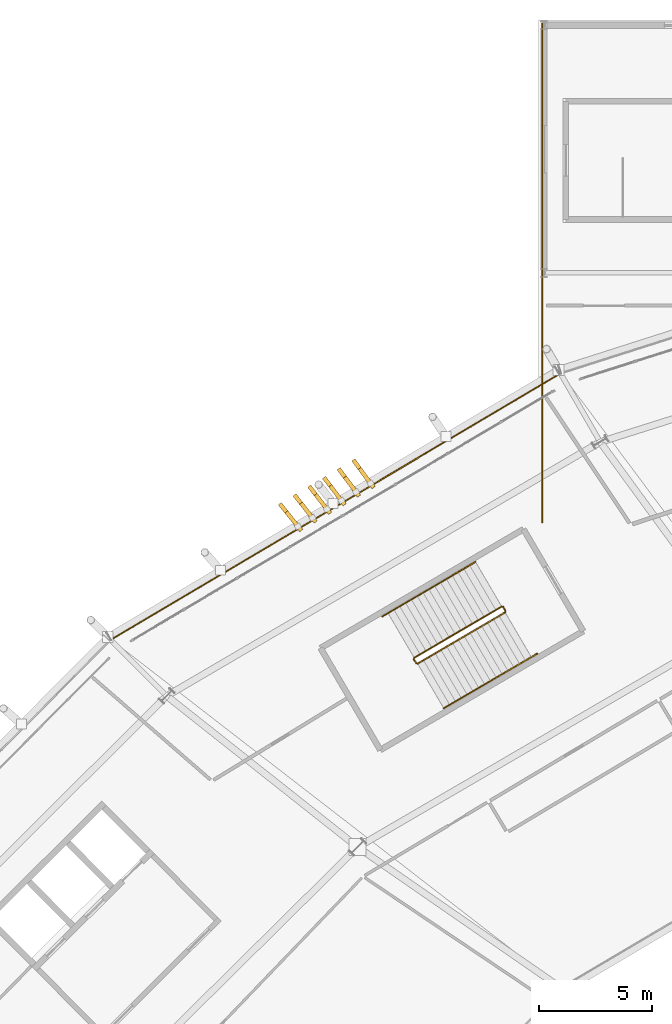
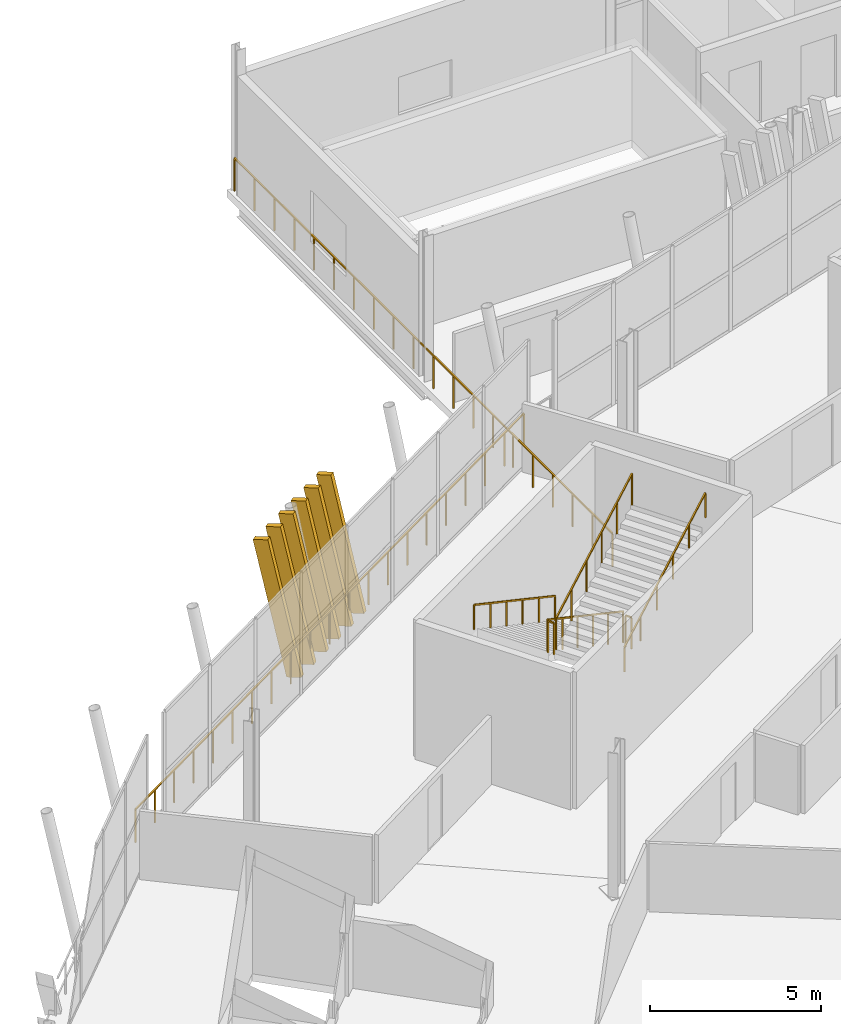
# One storey, part 162 of 168: 8 railings, 6 shading devices.
"""IFC4 building model written with IfcOpenShell, lengths in metres."""

from ifc_helpers import new_model, si_unit, direction, frame, origin, origin_2d, place, context, subcontext, project, spatial, rectangle, extrude, material, material_profile, profile_set, type_object, element, save


model = new_model("IFC4")

# Units and contexts
model_context = context("Model", 3, precision=1e-05, world=origin(), true_north=direction((0.0, 1.0)))
body_context = subcontext(model_context, "Body", "Model", "MODEL_VIEW")
ifc_project = project(units=[si_unit("LENGTHUNIT", "METRE"), si_unit("AREAUNIT", "SQUARE_METRE"), si_unit("VOLUMEUNIT", "CUBIC_METRE"), si_unit("PLANEANGLEUNIT", "RADIAN"), si_unit("MASSUNIT", "GRAM", prefix="KILO")], contexts=[model_context])

# Site, building, storey
site_placement = place(None, origin())
site = spatial("IfcSite", under=ifc_project, at=site_placement, CompositionType="ELEMENT")
building_placement = place(site_placement, origin())
building = spatial("IfcBuilding", under=site, at=building_placement, Name="Zlatoyarsky Gate Stadium", CompositionType="ELEMENT")
storey_placement = place(building_placement, frame((0.0, 0.0, 15.60009765625)))
storey = spatial("IfcBuildingStorey", under=building, at=storey_placement, Name="L03", CompositionType="ELEMENT", Elevation=15.60009765625)

# Railings
ifc_material_1 = material(Name="Powder-coated steel tubular guardrail", Category="steel")
railing_type_1 = type_object("IfcRailingType", Name="CONCOURSE SLAB EDGE GUARDRAIL 1200", PredefinedType="GUARDRAIL", material=ifc_material_1)
railing_1_placement = place(storey_placement, frame((62.739013671875, 144.5380859375, 0.0)))
element("IfcRailing", 1, at=railing_1_placement, inside=storey, type_object=railing_type_1, Name="L03 outer slab edge guardrail 08", PredefinedType="GUARDRAIL", context=body_context, shape_type="SweptSolid", body=[
    extrude(rectangle(XDim=0.048095703125, YDim=0.048095703125, at=origin_2d()), frame((0.0, 0.0, 1.17578125), z_axis=(-0.860356384529, -0.509692938542, 0.0), x_axis=(0.509692938542, -0.860356384529, 0.0)), (0.0, 0.0, 1.0), 23.235107421875),
    extrude(rectangle(XDim=0.0419921875, YDim=0.0419921875, at=origin_2d()), origin(), (0.0, 0.0, 1.0), 1.15185546875),
    extrude(rectangle(XDim=0.0419921875, YDim=0.0419921875, at=origin_2d()), frame((-0.99951171875, -0.592041015625, 0.0)), (0.0, 0.0, 1.0), 1.15185546875),
    extrude(rectangle(XDim=0.0419921875, YDim=0.0419921875, at=origin_2d()), frame((-1.9990234375, -1.184326171875, 0.0)), (0.0, 0.0, 1.0), 1.15185546875),
    extrude(rectangle(XDim=0.0419921875, YDim=0.0419921875, at=origin_2d()), frame((-2.99853515625, -1.7763671875, 0.0)), (0.0, 0.0, 1.0), 1.15185546875),
    extrude(rectangle(XDim=0.0419921875, YDim=0.0419921875, at=origin_2d()), frame((-3.998046875, -2.36865234375, 0.0)), (0.0, 0.0, 1.0), 1.15185546875),
    extrude(rectangle(XDim=0.0419921875, YDim=0.0419921875, at=origin_2d()), frame((-4.99755859375, -2.960693359375, 0.0)), (0.0, 0.0, 1.0), 1.15185546875),
    extrude(rectangle(XDim=0.0419921875, YDim=0.0419921875, at=origin_2d()), frame((-5.9970703125, -3.552734375, 0.0)), (0.0, 0.0, 1.0), 1.15185546875),
    extrude(rectangle(XDim=0.0419921875, YDim=0.0419921875, at=origin_2d()), frame((-6.99658203125, -4.14501953125, 0.0)), (0.0, 0.0, 1.0), 1.15185546875),
    extrude(rectangle(XDim=0.0419921875, YDim=0.0419921875, at=origin_2d()), frame((-7.99609375, -4.737060546875, 0.0)), (0.0, 0.0, 1.0), 1.15185546875),
    extrude(rectangle(XDim=0.0419921875, YDim=0.0419921875, at=origin_2d()), frame((-8.99560546875, -5.329345703125, 0.0)), (0.0, 0.0, 1.0), 1.15185546875),
    extrude(rectangle(XDim=0.0419921875, YDim=0.0419921875, at=origin_2d()), frame((-9.9951171875, -5.92138671875, 0.0)), (0.0, 0.0, 1.0), 1.15185546875),
    extrude(rectangle(XDim=0.0419921875, YDim=0.0419921875, at=origin_2d()), frame((-10.994873046875, -6.513427734375, 0.0)), (0.0, 0.0, 1.0), 1.15185546875),
    extrude(rectangle(XDim=0.0419921875, YDim=0.0419921875, at=origin_2d()), frame((-11.994384765625, -7.105712890625, 0.0)), (0.0, 0.0, 1.0), 1.15185546875),
    extrude(rectangle(XDim=0.0419921875, YDim=0.0419921875, at=origin_2d()), frame((-12.993896484375, -7.69775390625, 0.0)), (0.0, 0.0, 1.0), 1.15185546875),
    extrude(rectangle(XDim=0.0419921875, YDim=0.0419921875, at=origin_2d()), frame((-13.993408203125, -8.2900390625, 0.0)), (0.0, 0.0, 1.0), 1.15185546875),
    extrude(rectangle(XDim=0.0419921875, YDim=0.0419921875, at=origin_2d()), frame((-14.992919921875, -8.882080078125, 0.0)), (0.0, 0.0, 1.0), 1.15185546875),
    extrude(rectangle(XDim=0.0419921875, YDim=0.0419921875, at=origin_2d()), frame((-15.992431640625, -9.47412109375, 0.0)), (0.0, 0.0, 1.0), 1.15185546875),
    extrude(rectangle(XDim=0.0419921875, YDim=0.0419921875, at=origin_2d()), frame((-16.991943359375, -10.06640625, 0.0)), (0.0, 0.0, 1.0), 1.15185546875),
    extrude(rectangle(XDim=0.0419921875, YDim=0.0419921875, at=origin_2d()), frame((-17.991455078125, -10.658447265625, 0.0)), (0.0, 0.0, 1.0), 1.15185546875),
    extrude(rectangle(XDim=0.0419921875, YDim=0.0419921875, at=origin_2d()), frame((-18.990966796875, -11.250732421875, 0.0)), (0.0, 0.0, 1.0), 1.15185546875),
    extrude(rectangle(XDim=0.0419921875, YDim=0.0419921875, at=origin_2d()), frame((-19.990478515625, -11.8427734375, 0.0)), (0.0, 0.0, 1.0), 1.15185546875),
])
railing_2_placement = place(storey_placement, frame((61.919921875, 137.919921875, 0.0)))
element("IfcRailing", 2, at=railing_2_placement, inside=storey, type_object=railing_type_1, Name="V2_NORTH L03 W slab edge guardrail", PredefinedType="GUARDRAIL", context=body_context, shape_type="SweptSolid", body=[
    extrude(rectangle(XDim=0.048095703125, YDim=0.048095703125, at=origin_2d()), frame((0.0, 0.0, 1.17578125), z_axis=(0.0, 1.0, 0.0), x_axis=(-1.0, 0.0, 0.0)), (0.0, 0.0, 1.0), 22.16015625),
    extrude(rectangle(XDim=0.0419921875, YDim=0.0419921875, at=origin_2d()), origin(), (0.0, 0.0, 1.0), 1.15185546875),
    extrude(rectangle(XDim=0.0419921875, YDim=0.0419921875, at=origin_2d()), frame((0.0, 1.166259765625, 0.0)), (0.0, 0.0, 1.0), 1.15185546875),
    extrude(rectangle(XDim=0.0419921875, YDim=0.0419921875, at=origin_2d()), frame((0.0, 2.332763671875, 0.0)), (0.0, 0.0, 1.0), 1.15185546875),
    extrude(rectangle(XDim=0.0419921875, YDim=0.0419921875, at=origin_2d()), frame((0.0, 3.4990234375, 0.0)), (0.0, 0.0, 1.0), 1.15185546875),
    extrude(rectangle(XDim=0.0419921875, YDim=0.0419921875, at=origin_2d()), frame((0.0, 4.665283203125, 0.0)), (0.0, 0.0, 1.0), 1.15185546875),
    extrude(rectangle(XDim=0.0419921875, YDim=0.0419921875, at=origin_2d()), frame((0.0, 5.83154296875, 0.0)), (0.0, 0.0, 1.0), 1.15185546875),
    extrude(rectangle(XDim=0.0419921875, YDim=0.0419921875, at=origin_2d()), frame((0.0, 6.998046875, 0.0)), (0.0, 0.0, 1.0), 1.15185546875),
    extrude(rectangle(XDim=0.0419921875, YDim=0.0419921875, at=origin_2d()), frame((0.0, 8.164306640625, 0.0)), (0.0, 0.0, 1.0), 1.15185546875),
    extrude(rectangle(XDim=0.0419921875, YDim=0.0419921875, at=origin_2d()), frame((0.0, 9.33056640625, 0.0)), (0.0, 0.0, 1.0), 1.15185546875),
    extrude(rectangle(XDim=0.0419921875, YDim=0.0419921875, at=origin_2d()), frame((0.0, 10.496826171875, 0.0)), (0.0, 0.0, 1.0), 1.15185546875),
    extrude(rectangle(XDim=0.0419921875, YDim=0.0419921875, at=origin_2d()), frame((0.0, 11.663330078125, 0.0)), (0.0, 0.0, 1.0), 1.15185546875),
    extrude(rectangle(XDim=0.0419921875, YDim=0.0419921875, at=origin_2d()), frame((0.0, 12.82958984375, 0.0)), (0.0, 0.0, 1.0), 1.15185546875),
    extrude(rectangle(XDim=0.0419921875, YDim=0.0419921875, at=origin_2d()), frame((0.0, 13.995849609375, 0.0)), (0.0, 0.0, 1.0), 1.15185546875),
    extrude(rectangle(XDim=0.0419921875, YDim=0.0419921875, at=origin_2d()), frame((0.0, 15.162109375, 0.0)), (0.0, 0.0, 1.0), 1.15185546875),
    extrude(rectangle(XDim=0.0419921875, YDim=0.0419921875, at=origin_2d()), frame((0.0, 16.32861328125, 0.0)), (0.0, 0.0, 1.0), 1.15185546875),
    extrude(rectangle(XDim=0.0419921875, YDim=0.0419921875, at=origin_2d()), frame((0.0, 17.494873046875, 0.0)), (0.0, 0.0, 1.0), 1.15185546875),
    extrude(rectangle(XDim=0.0419921875, YDim=0.0419921875, at=origin_2d()), frame((0.0, 18.6611328125, 0.0)), (0.0, 0.0, 1.0), 1.15185546875),
    extrude(rectangle(XDim=0.0419921875, YDim=0.0419921875, at=origin_2d()), frame((0.0, 19.827392578125, 0.0)), (0.0, 0.0, 1.0), 1.15185546875),
    extrude(rectangle(XDim=0.0419921875, YDim=0.0419921875, at=origin_2d()), frame((0.0, 20.993896484375, 0.0)), (0.0, 0.0, 1.0), 1.15185546875),
    extrude(rectangle(XDim=0.0419921875, YDim=0.0419921875, at=origin_2d()), frame((0.0, 22.16015625, 0.0)), (0.0, 0.0, 1.0), 1.15185546875),
])
ifc_material_2 = material(Name="Powder-coated steel stair guardrail", Category="steel")
railing_type_2 = type_object("IfcRailingType", Name="PAINTED STEEL STAIR WELL GUARDRAIL 1150", PredefinedType="GUARDRAIL", material=ifc_material_2)
railing_3_placement = place(storey_placement, frame((60.1220703125, 134.1767578125, 0.162353515625)))
element("IfcRailing", 3, at=railing_3_placement, inside=storey, type_object=railing_type_2, Name="ST-05 L03 stair guard 1", PredefinedType="GUARDRAIL", context=body_context, shape_type="SweptSolid", body=[
    extrude(rectangle(XDim=0.048095703125, YDim=0.048095703125, at=origin_2d()), frame((0.0, 0.0, 1.1259765625), z_axis=(-0.758690244494, -0.444461582492, 0.476280394934), x_axis=(0.505475820858, -0.862840770089, 0.0)), (0.0, 0.0, 1.0), 5.11767578125),
    extrude(rectangle(XDim=0.0419921875, YDim=0.0419921875, at=origin_2d()), origin(), (0.0, 0.0, 1.0), 1.101806640625),
    extrude(rectangle(XDim=0.0419921875, YDim=0.0419921875, at=origin_2d()), frame((-0.776611328125, -0.454833984375, 0.487548828125)), (0.0, 0.0, 1.0), 1.101806640625),
    extrude(rectangle(XDim=0.0419921875, YDim=0.0419921875, at=origin_2d()), frame((-1.55322265625, -0.909912109375, 0.97509765625)), (0.0, 0.0, 1.0), 1.101806640625),
    extrude(rectangle(XDim=0.0419921875, YDim=0.0419921875, at=origin_2d()), frame((-2.32958984375, -1.36474609375, 1.46240234375)), (0.0, 0.0, 1.0), 1.101806640625),
    extrude(rectangle(XDim=0.0419921875, YDim=0.0419921875, at=origin_2d()), frame((-3.106201171875, -1.81982421875, 1.949951171875)), (0.0, 0.0, 1.0), 1.101806640625),
    extrude(rectangle(XDim=0.0419921875, YDim=0.0419921875, at=origin_2d()), frame((-3.8828125, -2.274658203125, 2.4375)), (0.0, 0.0, 1.0), 1.101806640625),
])
railing_4_placement = place(storey_placement, frame((56.221435546875, 131.833740234375, 2.599853515625)))
element("IfcRailing", 4, at=railing_4_placement, inside=storey, type_object=railing_type_2, Name="ST-05 L03 stair guard 2", PredefinedType="GUARDRAIL", context=body_context, shape_type="SweptSolid", body=[
    extrude(rectangle(XDim=0.048095703125, YDim=0.048095703125, at=origin_2d()), frame((0.0, 0.0, 1.1259765625), z_axis=(0.505312229679, -0.862936585467, 0.0), x_axis=(0.862936585467, 0.505312229679, 0.0)), (0.0, 0.0, 1.0), 0.199951171875),
    extrude(rectangle(XDim=0.0419921875, YDim=0.0419921875, at=origin_2d()), origin(), (0.0, 0.0, 1.0), 1.101806640625),
    extrude(rectangle(XDim=0.0419921875, YDim=0.0419921875, at=origin_2d()), frame((0.10107421875, -0.172607421875, 0.0)), (0.0, 0.0, 1.0), 1.101806640625),
])
railing_5_placement = place(storey_placement, frame((56.390869140625, 131.643310546875, 2.762451171875)))
element("IfcRailing", 5, at=railing_5_placement, inside=storey, type_object=railing_type_2, Name="ST-05 L03 stair guard 3", PredefinedType="GUARDRAIL", context=body_context, shape_type="SweptSolid", body=[
    extrude(rectangle(XDim=0.048095703125, YDim=0.048095703125, at=origin_2d()), frame((0.0, 0.0, 1.1259765625), z_axis=(0.758690244494, 0.444461582492, 0.476280394934), x_axis=(-0.505475820858, 0.862840770089, 0.0)), (0.0, 0.0, 1.0), 5.11767578125),
    extrude(rectangle(XDim=0.0419921875, YDim=0.0419921875, at=origin_2d()), origin(), (0.0, 0.0, 1.0), 1.101806640625),
    extrude(rectangle(XDim=0.0419921875, YDim=0.0419921875, at=origin_2d()), frame((0.776611328125, 0.454833984375, 0.487548828125)), (0.0, 0.0, 1.0), 1.101806640625),
    extrude(rectangle(XDim=0.0419921875, YDim=0.0419921875, at=origin_2d()), frame((1.55322265625, 0.909912109375, 0.97509765625)), (0.0, 0.0, 1.0), 1.101806640625),
    extrude(rectangle(XDim=0.0419921875, YDim=0.0419921875, at=origin_2d()), frame((2.32958984375, 1.36474609375, 1.46240234375)), (0.0, 0.0, 1.0), 1.101806640625),
    extrude(rectangle(XDim=0.0419921875, YDim=0.0419921875, at=origin_2d()), frame((3.106201171875, 1.81982421875, 1.949951171875)), (0.0, 0.0, 1.0), 1.101806640625),
    extrude(rectangle(XDim=0.0419921875, YDim=0.0419921875, at=origin_2d()), frame((3.8828125, 2.274658203125, 2.4375)), (0.0, 0.0, 1.0), 1.101806640625),
])
railing_6_placement = place(storey_placement, frame((60.190673828125, 134.158935546875, 0.0)))
element("IfcRailing", 6, at=railing_6_placement, inside=storey, type_object=railing_type_2, Name="ST-05 L03 stair guard 4", PredefinedType="GUARDRAIL", context=body_context, shape_type="SweptSolid", body=[
    extrude(rectangle(XDim=0.048095703125, YDim=0.048095703125, at=origin_2d()), frame((0.0, 0.0, 1.1259765625), z_axis=(0.505312229679, -0.862936585467, 0.0), x_axis=(0.862936585467, 0.505312229679, 0.0)), (0.0, 0.0, 1.0), 0.199951171875),
    extrude(rectangle(XDim=0.0419921875, YDim=0.0419921875, at=origin_2d()), origin(), (0.0, 0.0, 1.0), 1.101806640625),
    extrude(rectangle(XDim=0.0419921875, YDim=0.0419921875, at=origin_2d()), frame((0.10107421875, -0.172607421875, 0.0)), (0.0, 0.0, 1.0), 1.101806640625),
])

# Shading devices
ifc_material_3 = material(Name="Precast concrete C40/50 stone-toned architectural rib", Category="masonry")
ifc_material_profile = material_profile(ifc_material_3, rectangle(XDim=0.179931640625, YDim=0.47998046875, at=origin_2d()), Name="RIB 180X480")
ifc_profile_set = profile_set([ifc_material_profile], Name="Precast concrete C40/50 stone-toned architectural rib")
shading_device_type = type_object("IfcShadingDeviceType", Name="PRECAST RIBBED BOWL LOUVRE FIN 180X480", PredefinedType="JALOUSIE", material=ifc_profile_set)
for number, where, z_axis, x_axis, name in (
    (7, (54.29638671875, 139.651123046875, -0.010009765625), (-0.131097145623, 0.178559830067, 0.975156359512), (-0.806074913347, -0.591813512918, 0.0), "Leaning bowl louvre fin L03-08-1"),
    (8, (53.651123046875, 139.268798828125, -0.010009765625), (-0.132579385525, 0.177436688219, 0.975160975536), (-0.80107818866, -0.5985597177, 0.0), "Leaning bowl louvre fin L03-08-2"),
    (9, (53.006103515625, 138.886474609375, -0.010009765625), (-0.134112555343, 0.176262215594, 0.975164321462), (-0.795828694121, -0.605521832483, 0.0), "Leaning bowl louvre fin L03-08-3"),
    (10, (52.360595703125, 138.504150390625, -0.010009765625), (-0.135544926764, 0.175089507735, 0.975177541328), (-0.790741722009, -0.612149923691, 0.0), "Leaning bowl louvre fin L03-08-4"),
    (11, (51.715576171875, 138.121826171875, -0.010009765625), (-0.137075913493, 0.17396328194, 0.975165099087), (-0.785461088365, -0.618911042609, 0.0), "Leaning bowl louvre fin L03-08-5"),
    (12, (51.0703125, 137.739501953125, -0.010009765625), (-0.138557475081, 0.172788119735, 0.975164648548), (-0.780148129587, -0.62559483366, 0.0), "Leaning bowl louvre fin L03-08-6"),
):
    element("IfcShadingDevice", number, at=place(storey_placement, frame(where, z_axis=z_axis, x_axis=x_axis)), inside=storey, type_object=shading_device_type, Name=name, PredefinedType="JALOUSIE", context=body_context, shape_type="SweptSolid", body=[
        extrude(rectangle(XDim=0.179931640625, YDim=0.47998046875, at=origin_2d()), origin(), (0.0, 0.0, 1.0), 4.778564453125),
    ])

# Railings
ifc_material_4 = material(Name="Brushed stainless steel 316 handrail", Category="steel")
railing_type_3 = type_object("IfcRailingType", Name="STAINLESS STEEL TUBULAR HANDRAIL 900", PredefinedType="HANDRAIL", material=ifc_material_4)
railing_7_placement = place(storey_placement, frame((58.959716796875, 136.161376953125, 0.16650390625)))
element("IfcRailing", 13, at=railing_7_placement, inside=storey, type_object=railing_type_3, Name="ST-05 L03 stair handrail 1", PredefinedType="HANDRAIL", context=body_context, shape_type="SweptSolid", body=[
    extrude(rectangle(XDim=0.048095703125, YDim=0.048095703125, at=origin_2d()), frame((0.0, 0.0, 0.8759765625), z_axis=(-0.758715869307, -0.444451418165, 0.476249059372), x_axis=(0.505454504659, -0.86285325735, 0.0)), (0.0, 0.0, 1.0), 5.458984375),
    extrude(rectangle(XDim=0.0419921875, YDim=0.0419921875, at=origin_2d()), origin(), (0.0, 0.0, 1.0), 0.851806640625),
    extrude(rectangle(XDim=0.0419921875, YDim=0.0419921875, at=origin_2d()), frame((-0.828369140625, -0.4853515625, 0.52001953125)), (0.0, 0.0, 1.0), 0.851806640625),
    extrude(rectangle(XDim=0.0419921875, YDim=0.0419921875, at=origin_2d()), frame((-1.65673828125, -0.970458984375, 1.0400390625)), (0.0, 0.0, 1.0), 0.851806640625),
    extrude(rectangle(XDim=0.0419921875, YDim=0.0419921875, at=origin_2d()), frame((-2.485107421875, -1.455810546875, 1.559814453125)), (0.0, 0.0, 1.0), 0.851806640625),
    extrude(rectangle(XDim=0.0419921875, YDim=0.0419921875, at=origin_2d()), frame((-3.3134765625, -1.94091796875, 2.079833984375)), (0.0, 0.0, 1.0), 0.851806640625),
    extrude(rectangle(XDim=0.0419921875, YDim=0.0419921875, at=origin_2d()), frame((-4.141845703125, -2.42626953125, 2.599853515625)), (0.0, 0.0, 1.0), 0.851806640625),
])
railing_8_placement = place(storey_placement, frame((57.553466796875, 129.65869140625, 2.766357421875)))
element("IfcRailing", 14, at=railing_8_placement, inside=storey, type_object=railing_type_3, Name="ST-05 L03 stair handrail 2", PredefinedType="HANDRAIL", context=body_context, shape_type="SweptSolid", body=[
    extrude(rectangle(XDim=0.048095703125, YDim=0.048095703125, at=origin_2d()), frame((0.0, 0.0, 0.8759765625), z_axis=(0.758699709167, 0.444441951648, 0.476283637054), x_axis=(-0.505454504659, 0.86285325735, 0.0)), (0.0, 0.0, 1.0), 5.459228515625),
    extrude(rectangle(XDim=0.0419921875, YDim=0.0419921875, at=origin_2d()), origin(), (0.0, 0.0, 1.0), 0.851806640625),
    extrude(rectangle(XDim=0.0419921875, YDim=0.0419921875, at=origin_2d()), frame((0.828369140625, 0.4853515625, 0.52001953125)), (0.0, 0.0, 1.0), 0.851806640625),
    extrude(rectangle(XDim=0.0419921875, YDim=0.0419921875, at=origin_2d()), frame((1.65673828125, 0.970458984375, 1.0400390625)), (0.0, 0.0, 1.0), 0.851806640625),
    extrude(rectangle(XDim=0.0419921875, YDim=0.0419921875, at=origin_2d()), frame((2.485107421875, 1.455810546875, 1.56005859375)), (0.0, 0.0, 1.0), 0.851806640625),
    extrude(rectangle(XDim=0.0419921875, YDim=0.0419921875, at=origin_2d()), frame((3.3134765625, 1.94091796875, 2.080078125)), (0.0, 0.0, 1.0), 0.851806640625),
    extrude(rectangle(XDim=0.0419921875, YDim=0.0419921875, at=origin_2d()), frame((4.141845703125, 2.42626953125, 2.60009765625)), (0.0, 0.0, 1.0), 0.851806640625),
])

save(model, "model.ifc")
